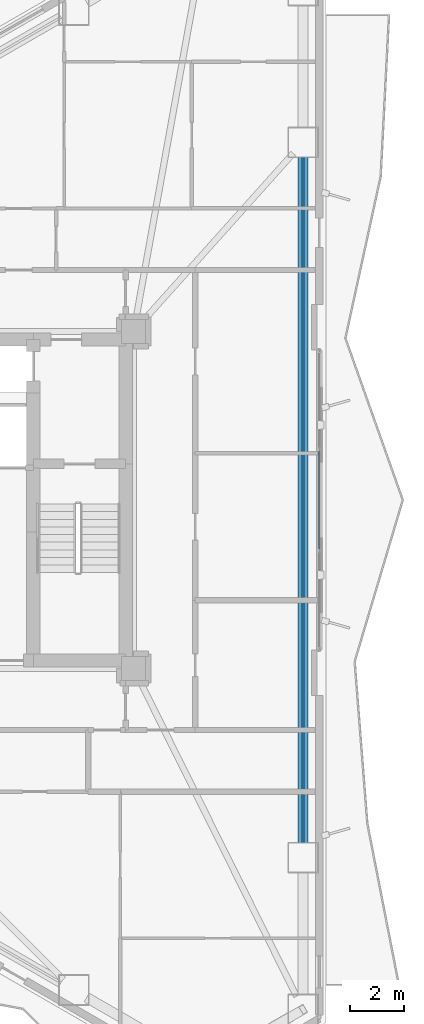
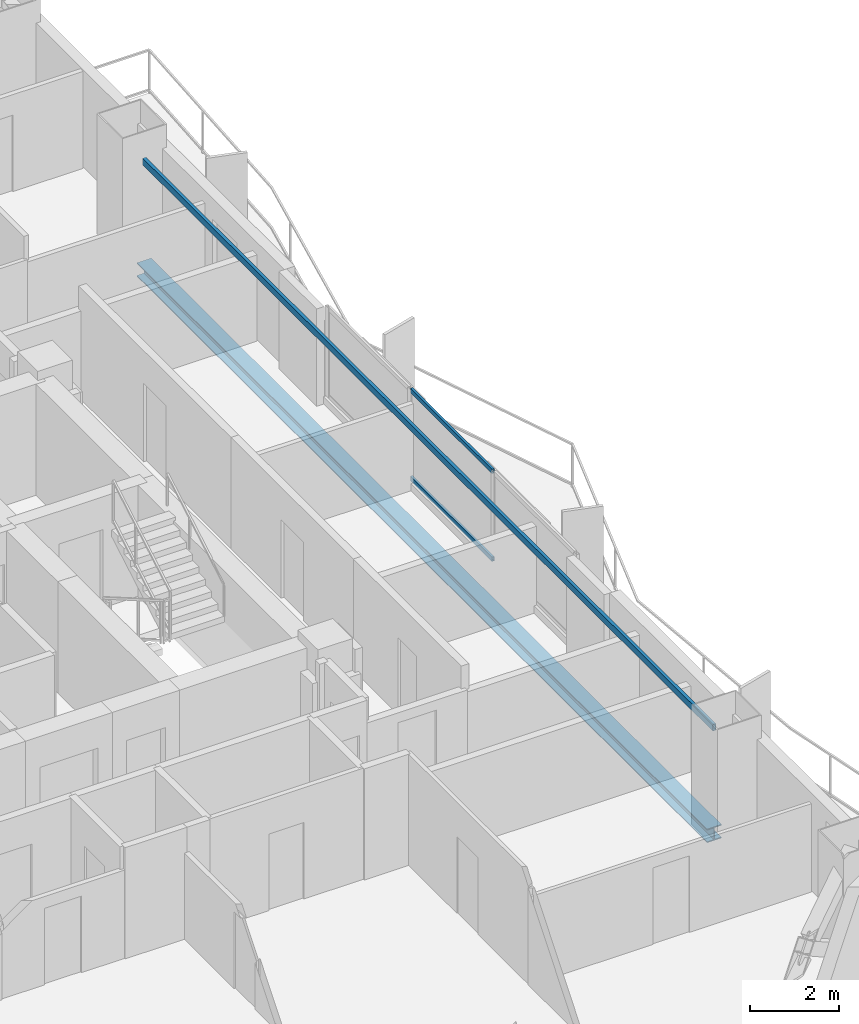
# One storey, part 9 of 22: 2 beams, 2 members, 1 element without a shape of its own.
"""IFC4 building model written with IfcOpenShell, lengths in metres."""

from ifc_helpers import new_model, si_unit, direction, frame, origin, origin_2d, place, context, subcontext, project, spatial, hollow_rectangle, i_section, extrude, material, layer, layer_set, material_profile, profile_set, type_object, element, aggregate, save


model = new_model("IFC4")

# Units and contexts
model_context = context("Model", 3, precision=1e-05, world=origin(), true_north=direction((0.0, 1.0)))
body_context = subcontext(model_context, "Body", "Model", "MODEL_VIEW")
ifc_project = project(units=[si_unit("LENGTHUNIT", "METRE"), si_unit("AREAUNIT", "SQUARE_METRE"), si_unit("VOLUMEUNIT", "CUBIC_METRE"), si_unit("PLANEANGLEUNIT", "RADIAN"), si_unit("MASSUNIT", "GRAM", prefix="KILO")], contexts=[model_context])

# Site, building, storey
site_placement = place(None, origin())
site = spatial("IfcSite", under=ifc_project, at=site_placement, CompositionType="ELEMENT")
building_placement = place(site_placement, origin())
building = spatial("IfcBuilding", under=site, at=building_placement, Name="Mersakhor Tower and Convention Hall", CompositionType="ELEMENT")
storey_placement = place(building_placement, frame((0.0, 0.0, 83.39990234375)))
storey = spatial("IfcBuildingStorey", under=building, at=storey_placement, Name="L22", CompositionType="ELEMENT", Elevation=83.39990234375)

# Beams
ifc_material_1 = material(Name="Steel S355", Category="steel")
ifc_material_profile_1 = material_profile(ifc_material_1, hollow_rectangle(XDim=0.080078125, YDim=0.179931640625, WallThickness=0.008056640625, at=origin_2d()), Name="RHS 180x80x8")
ifc_profile_set_1 = profile_set([ifc_material_profile_1], Name="Steel S355")
beam_type_1 = type_object("IfcBeamType", Name="BM-GRT-RHS180", PredefinedType="USERDEFINED", material=ifc_profile_set_1)
beam_1_placement = place(storey_placement, frame((42.4345703125, 39.566650390625, 2.47998046875), z_axis=(0.0, -1.0, 0.0), x_axis=(1.0, 0.0, 0.0)))
element("IfcBeam", 1, at=beam_1_placement, inside=storey, type_object=beam_type_1, Name="L22 Facade Support Girt GRT-F2", ObjectType="GIRT", PredefinedType="USERDEFINED", context=body_context, shape_type="SweptSolid", body=[
    extrude(hollow_rectangle(XDim=0.080078125, YDim=0.179931640625, WallThickness=0.008056640625, at=origin_2d()), origin(), (0.0, 0.0, 1.0), 25.63330078125),
])
ifc_material_2 = material(Name="Steel S355", Category="steel")
ifc_material_profile_2 = material_profile(ifc_material_2, i_section(OverallWidth=0.374755859375, OverallDepth=0.37451171875, WebThickness=0.0166015625, FlangeThickness=0.027099609375, at=origin_2d()), Name="UC 356x368x202")
ifc_profile_set_2 = profile_set([ifc_material_profile_2], Name="Steel S355")
beam_type_2 = type_object("IfcBeamType", Name="BM-SPD-UC356", PredefinedType="SPANDREL", material=ifc_profile_set_2)
beam_2_placement = place(storey_placement, frame((42.4345703125, 39.566650390625, -0.437255859375), z_axis=(0.0, -1.0, 0.0), x_axis=(1.0, 0.0, 0.0)))
element("IfcBeam", 2, at=beam_2_placement, inside=storey, type_object=beam_type_2, Name="L22 Perimeter Spandrel Beam SPB-06", PredefinedType="SPANDREL", context=body_context, shape_type="SweptSolid", body=[
    extrude(i_section(OverallWidth=0.374755859375, OverallDepth=0.37451171875, WebThickness=0.0166015625, FlangeThickness=0.027099609375, at=origin_2d()), origin(), (0.0, 0.0, 1.0), 25.63330078125),
])

# Curtain wall, members
ifc_material_3 = material(Name="Dark solar low-E aluminium curtain wall", Category="aluminium")
ifc_layer = layer(ifc_material_3, 0.159912109375)
ifc_layer_set = layer_set([ifc_layer], Name="Dark solar low-E aluminium curtain wall")
curtain_wall_type = type_object("IfcCurtainWallType", Name="CW-SYS-01", PredefinedType="USERDEFINED", material=ifc_layer_set)
curtain_wall_placement = place(storey_placement, origin())
curtain_wall = element("IfcCurtainWall", 3, at=curtain_wall_placement, inside=storey, type_object=curtain_wall_type, Name="L22 Dark-Glass Curtain Wall F2-B2", ObjectType="CURTAIN WALL", PredefinedType="USERDEFINED")
ifc_material_4 = material(Name="Anodised aluminium EN AW-6063 T6", Category="aluminium")
ifc_material_profile_3 = material_profile(ifc_material_4, hollow_rectangle(XDim=0.06005859375, YDim=0.1201171875, WallThickness=0.0048828125, at=origin_2d()), Name="RHS 120x60x5")
ifc_profile_set_3 = profile_set([ifc_material_profile_3], Name="Anodised aluminium EN AW-6063 T6")
member_type = type_object("IfcMemberType", Name="CWT-120x60", PredefinedType="USERDEFINED", material=ifc_profile_set_3)
member_1_placement = place(storey_placement, frame((43.03466796875, 28.583984375, 0.22998046875), z_axis=(0.0, -1.0, 0.0), x_axis=(1.0, 0.0, 0.0)))
member_1 = element("IfcMember", 4, at=member_1_placement, type_object=member_type, Name="CW-01 transom 2.1", ObjectType="TRANSOM", PredefinedType="USERDEFINED", context=body_context, shape_type="SweptSolid", body=[
    extrude(hollow_rectangle(XDim=0.06005859375, YDim=0.1201171875, WallThickness=0.0048828125, at=origin_2d()), origin(), (0.0, 0.0, 1.0), 3.66796875),
])
member_2_placement = place(storey_placement, frame((43.03466796875, 28.583984375, 2.64013671875), z_axis=(0.0, -1.0, 0.0), x_axis=(1.0, 0.0, 0.0)))
member_2 = element("IfcMember", 5, at=member_2_placement, type_object=member_type, Name="CW-01 transom 2.2", ObjectType="TRANSOM", PredefinedType="USERDEFINED", context=body_context, shape_type="SweptSolid", body=[
    extrude(hollow_rectangle(XDim=0.06005859375, YDim=0.1201171875, WallThickness=0.0048828125, at=origin_2d()), origin(), (0.0, 0.0, 1.0), 3.66796875),
])
aggregate(curtain_wall, [member_1, member_2])

save(model, "model.ifc")
